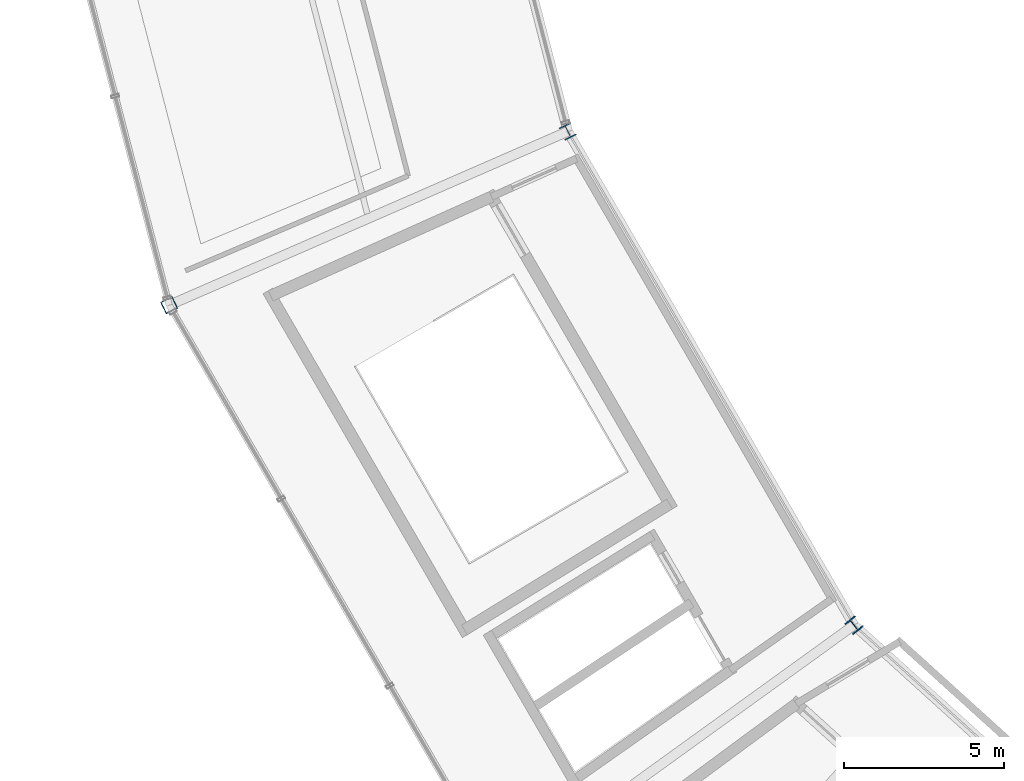
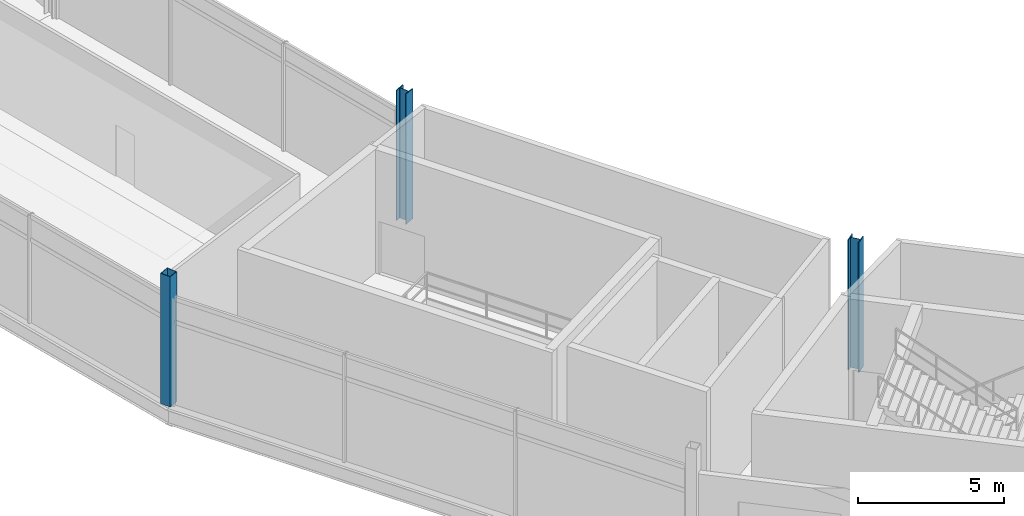
# One storey, part 2 of 86: 3 columns.
"""IFC4 building model written with IfcOpenShell, lengths in metres."""

from ifc_helpers import new_model, si_unit, direction, frame, origin, origin_2d, place, context, subcontext, project, spatial, hollow_rectangle, i_section, extrude, material, material_profile, profile_set, type_object, element, save


model = new_model("IFC4")

# Units and contexts
model_context = context("Model", 3, precision=1e-05, world=origin(), true_north=direction((0.0, 1.0)))
body_context = subcontext(model_context, "Body", "Model", "MODEL_VIEW")
ifc_project = project(units=[si_unit("LENGTHUNIT", "METRE"), si_unit("AREAUNIT", "SQUARE_METRE"), si_unit("VOLUMEUNIT", "CUBIC_METRE"), si_unit("PLANEANGLEUNIT", "RADIAN"), si_unit("MASSUNIT", "GRAM", prefix="KILO")], contexts=[model_context])

# Site, building, storey
site_placement = place(None, origin())
site = spatial("IfcSite", under=ifc_project, at=site_placement, CompositionType="ELEMENT")
building_placement = place(site_placement, origin())
building = spatial("IfcBuilding", under=site, at=building_placement, Name="Kazemori Nagisa Stadium", CompositionType="ELEMENT")
storey_placement = place(building_placement, frame((0.0, 0.0, 31.280029296875)))
storey = spatial("IfcBuildingStorey", under=building, at=storey_placement, Name="L06", CompositionType="ELEMENT", Elevation=31.280029296875)

# Columns
ifc_material_1 = material(Name="Steel SN490B", Category="steel")
ifc_material_profile_1 = material_profile(ifc_material_1, i_section(OverallWidth=0.406982421875, OverallDepth=0.427978515625, WebThickness=0.02001953125, FlangeThickness=0.034912109375, FilletRadius=0.012939453125, at=origin_2d()), Name="H-428x407x20x35")
ifc_profile_set_1 = profile_set([ifc_material_profile_1], Name="Steel SN490B")
column_type_1 = type_object("IfcColumnType", Name="Column_C-H428", PredefinedType="COLUMN", material=ifc_profile_set_1)
for number, where, z_axis, x_axis, name in (
    (1, (46.55908203125, 68.67529296875, 0.0), (0.0, 0.0, 1.0), (-0.900968867905, -0.433883739113, 0.0), "Column C-H428 L06 R2-17"),
    (2, (55.493896484375, 53.265869140625, 0.0), (0.0, 0.0, 1.0), (-0.781831482473, -0.623489801853, 0.0), "Column C-H428 L06 R2-18"),
):
    element("IfcColumn", number, at=place(storey_placement, frame(where, z_axis=z_axis, x_axis=x_axis)), inside=storey, type_object=column_type_1, Name=name, PredefinedType="COLUMN", context=body_context, shape_type="SweptSolid", body=[
        extrude(i_section(OverallWidth=0.406982421875, OverallDepth=0.427978515625, WebThickness=0.02001953125, FlangeThickness=0.034912109375, FilletRadius=0.012939453125, at=origin_2d()), origin(), (0.0, 0.0, 1.0), 5.43994140625),
    ])
ifc_material_2 = material(Name="Steel STKR490", Category="steel")
ifc_material_profile_2 = material_profile(ifc_material_2, hollow_rectangle(XDim=0.39990234375, YDim=0.39990234375, WallThickness=0.01904296875, at=origin_2d()), Name="SHS-400x400x19")
ifc_profile_set_2 = profile_set([ifc_material_profile_2], Name="Steel STKR490")
column_type_2 = type_object("IfcColumnType", Name="Column_C-ST400", PredefinedType="COLUMN", material=ifc_profile_set_2)
column_placement = place(storey_placement, frame((34.114990234375, 63.25048828125, 0.0), z_axis=(0.0, 0.0, 1.0), x_axis=(-0.900968867905, -0.433883739113, 0.0)))
element("IfcColumn", 3, at=column_placement, inside=storey, type_object=column_type_2, Name="Column C-ST400 L06 R3-17", PredefinedType="COLUMN", context=body_context, shape_type="SweptSolid", body=[
    extrude(hollow_rectangle(XDim=0.39990234375, YDim=0.39990234375, WallThickness=0.01904296875, at=origin_2d()), origin(), (0.0, 0.0, 1.0), 5.43994140625),
])

save(model, "model.ifc")
